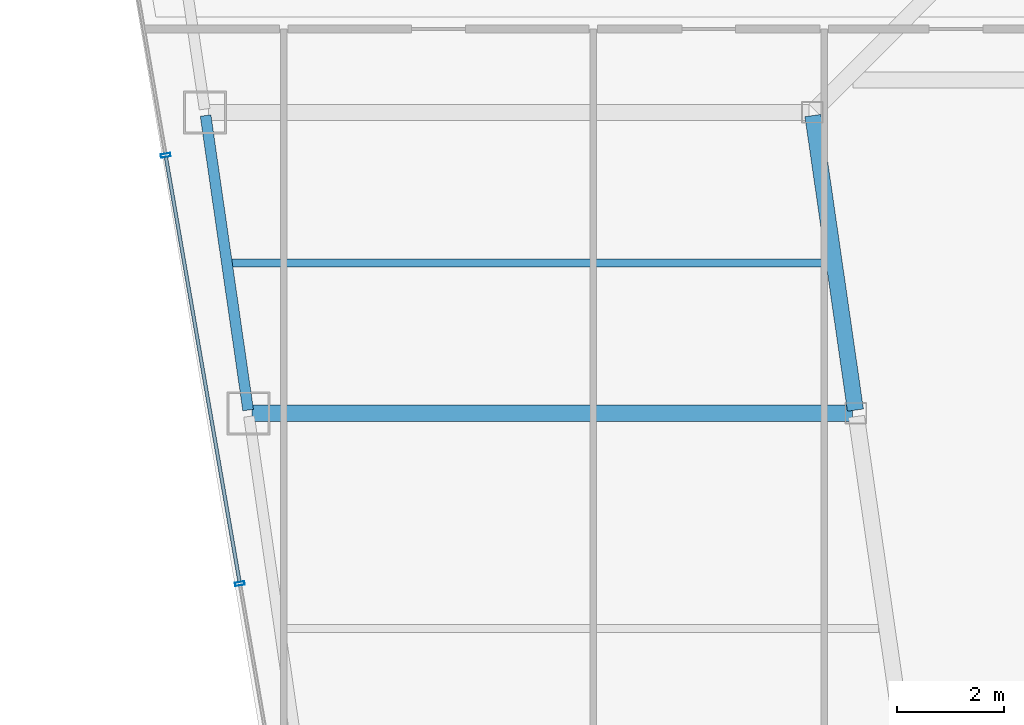
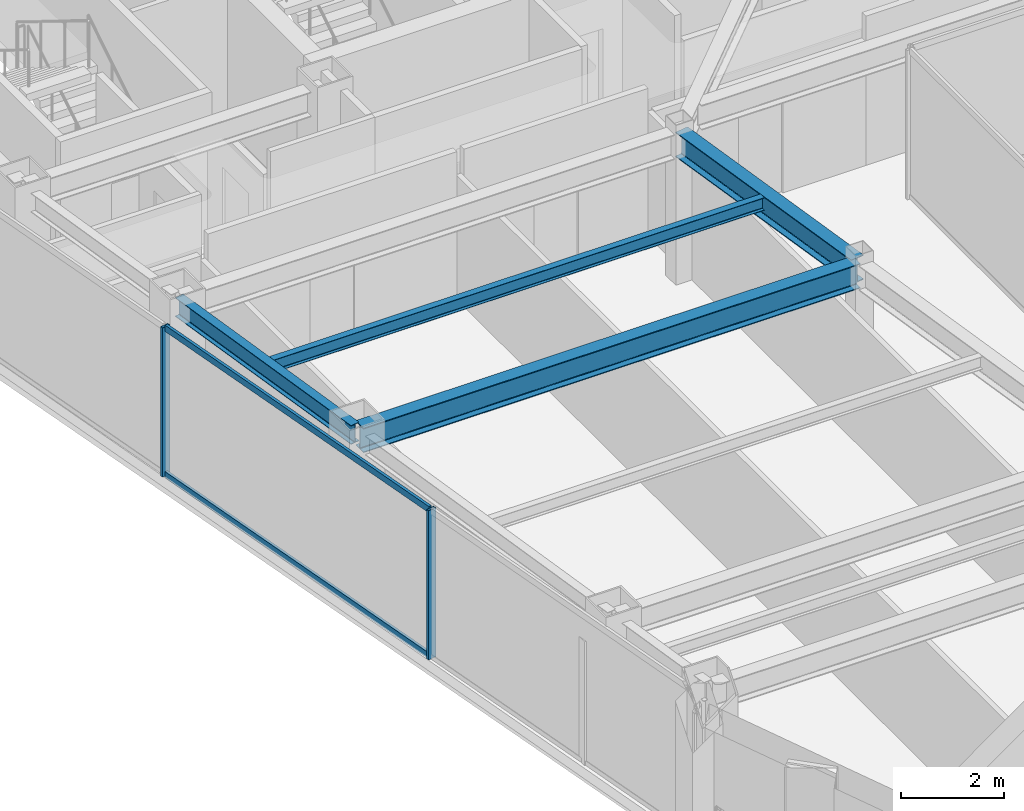
# One storey, part 5 of 31: 4 beams, 4 members, 1 element without a shape of its own.
"""IFC4 building model written with IfcOpenShell, lengths in metres."""

from ifc_helpers import new_model, si_unit, direction, frame, origin, origin_2d, place, context, subcontext, project, spatial, hollow_rectangle, i_section, extrude, material, material_profile, profile_set, type_object, element, aggregate, save


model = new_model("IFC4")

# Units and contexts
model_context = context("Model", 3, precision=1e-05, world=origin(), true_north=direction((0.0, 1.0)))
body_context = subcontext(model_context, "Body", "Model", "MODEL_VIEW")
ifc_project = project(units=[si_unit("LENGTHUNIT", "METRE"), si_unit("AREAUNIT", "SQUARE_METRE"), si_unit("VOLUMEUNIT", "CUBIC_METRE"), si_unit("PLANEANGLEUNIT", "RADIAN"), si_unit("MASSUNIT", "GRAM", prefix="KILO")], contexts=[model_context])

# Site, building, storey
site_placement = place(None, origin())
site = spatial("IfcSite", under=ifc_project, at=site_placement, CompositionType="ELEMENT")
building_placement = place(site_placement, origin())
building = spatial("IfcBuilding", under=site, at=building_placement, Name="Saevonmaru Cultural Tower", CompositionType="ELEMENT")
storey_placement = place(building_placement, frame((0.0, 0.0, 230.60009765625)))
storey = spatial("IfcBuildingStorey", under=building, at=storey_placement, Name="L53", CompositionType="ELEMENT", Elevation=230.60009765625)

# Beams
ifc_material_1 = material(Name="Steel SM355", Category="steel")
ifc_material_profile_1 = material_profile(ifc_material_1, i_section(OverallWidth=0.300048828125, OverallDepth=0.587890625, WebThickness=0.011962890625, FlangeThickness=0.02001953125, FilletRadius=0.02392578125, at=origin_2d()), Name="H-588x300x12x20")
ifc_profile_set_1 = profile_set([ifc_material_profile_1], Name="Steel SM355")
beam_type_1 = type_object("IfcBeamType", Name="BM-G-H588", PredefinedType="BEAM", material=ifc_profile_set_1)
beam_1_placement = place(storey_placement, frame((19.6083984375, 32.059326171875, 3.255859375), z_axis=(-0.142964121327, 0.989727871697, 0.0), x_axis=(-0.989727871697, -0.142964121327, 0.0)))
element("IfcBeam", 1, at=beam_1_placement, inside=storey, type_object=beam_type_1, Name="L53 West Atrium Girder 3", PredefinedType="BEAM", context=body_context, shape_type="SweptSolid", body=[
    extrude(i_section(OverallWidth=0.300048828125, OverallDepth=0.587890625, WebThickness=0.011962890625, FlangeThickness=0.02001953125, FilletRadius=0.02392578125, at=origin_2d()), origin(), (0.0, 0.0, 1.0), 5.5380859375),
])
beam_2_placement = place(storey_placement, frame((8.376953125, 32.0, 3.255859375), z_axis=(1.0, 0.0, 0.0), x_axis=(0.0, 1.0, 0.0)))
element("IfcBeam", 2, at=beam_2_placement, inside=storey, type_object=beam_type_1, Name="L53 West Wing Transverse Girder 3", PredefinedType="BEAM", context=body_context, shape_type="SweptSolid", body=[
    extrude(i_section(OverallWidth=0.300048828125, OverallDepth=0.587890625, WebThickness=0.011962890625, FlangeThickness=0.02001953125, FilletRadius=0.02392578125, at=origin_2d()), origin(), (0.0, 0.0, 1.0), 11.179931640625),
])
ifc_material_profile_2 = material_profile(ifc_material_1, i_section(OverallWidth=0.14990234375, OverallDepth=0.300048828125, WebThickness=0.006591796875, FlangeThickness=0.009033203125, FilletRadius=0.012939453125, at=origin_2d()), Name="H-300x150x6.5x9")
ifc_profile_set_2 = profile_set([ifc_material_profile_2], Name="Steel SM355")
beam_type_2 = type_object("IfcBeamType", Name="BM-J-H300", PredefinedType="JOIST", material=ifc_profile_set_2)
beam_3_placement = place(storey_placement, frame((7.972412109375, 34.800048828125, 3.39990234375), z_axis=(1.0, 0.0, 0.0), x_axis=(0.0, 1.0, 0.0)))
element("IfcBeam", 3, at=beam_3_placement, inside=storey, type_object=beam_type_2, Name="L53 West Wing Floor Joist 3", PredefinedType="JOIST", context=body_context, shape_type="SweptSolid", body=[
    extrude(i_section(OverallWidth=0.14990234375, OverallDepth=0.300048828125, WebThickness=0.006591796875, FlangeThickness=0.009033203125, FilletRadius=0.012939453125, at=origin_2d()), origin(), (0.0, 0.0, 1.0), 11.08203125),
])
ifc_material_profile_3 = material_profile(ifc_material_1, i_section(OverallWidth=0.199951171875, OverallDepth=0.449951171875, WebThickness=0.009033203125, FlangeThickness=0.013916015625, FilletRadius=0.01806640625, at=origin_2d()), Name="H-450x200x9x14")
ifc_profile_set_3 = profile_set([ifc_material_profile_3], Name="Steel SM355")
beam_type_3 = type_object("IfcBeamType", Name="BM-SP-H450", PredefinedType="SPANDREL", material=ifc_profile_set_3)
beam_4_placement = place(storey_placement, frame((8.308349609375, 32.059326171875, 3.324951171875), z_axis=(-0.142964121327, 0.989727871697, 0.0), x_axis=(-0.989727871697, -0.142964121327, 0.0)))
element("IfcBeam", 4, at=beam_4_placement, inside=storey, type_object=beam_type_3, Name="L53 West Splayed Spandrel 3", PredefinedType="SPANDREL", context=body_context, shape_type="SweptSolid", body=[
    extrude(i_section(OverallWidth=0.199951171875, OverallDepth=0.449951171875, WebThickness=0.009033203125, FlangeThickness=0.013916015625, FilletRadius=0.01806640625, at=origin_2d()), origin(), (0.0, 0.0, 1.0), 5.5380859375),
])

# Curtain wall, members
ifc_material_2 = material(Name="Satin Bronze Anodised Aluminium", Category="aluminium")
curtain_wall_type = type_object("IfcCurtainWallType", Name="CW-SKY-GLZ", PredefinedType="NOTDEFINED", material=ifc_material_2)
curtain_wall_placement = place(storey_placement, origin())
curtain_wall = element("IfcCurtainWall", 5, at=curtain_wall_placement, inside=storey, type_object=curtain_wall_type, Name="L53 Unitised Curtain Wall E12", PredefinedType="NOTDEFINED")
ifc_material_profile_4 = material_profile(ifc_material_2, hollow_rectangle(XDim=0.06494140625, YDim=0.179931640625, WallThickness=0.00390625, at=origin_2d()), Name="ALU-MULL-180x65x4")
ifc_profile_set_4 = profile_set([ifc_material_profile_4], Name="Satin Bronze Anodised Aluminium")
member_type_1 = type_object("IfcMemberType", Name="ML-CW-180x65", PredefinedType="MULLION", material=ifc_profile_set_4)
member_1_placement = place(storey_placement, frame((6.7734375, 36.800048828125, 0.0), z_axis=(0.0, 0.0, 1.0), x_axis=(0.170790369887, -0.985307388359, 0.0)))
member_1 = element("IfcMember", 6, at=member_1_placement, type_object=member_type_1, Name="CW-TW-L53-E12 mullion 3", PredefinedType="MULLION", context=body_context, shape_type="SweptSolid", body=[
    extrude(hollow_rectangle(XDim=0.06494140625, YDim=0.179931640625, WallThickness=0.00390625, at=origin_2d()), origin(), (0.0, 0.0, 1.0), 3.5498046875),
])
member_2_placement = place(storey_placement, frame((8.155029296875, 28.82958984375, 0.0), z_axis=(0.0, 0.0, 1.0), x_axis=(0.170790369887, -0.985307388359, 0.0)))
member_2 = element("IfcMember", 7, at=member_2_placement, type_object=member_type_1, Name="CW-TW-L53-E12 mullion 4", PredefinedType="MULLION", context=body_context, shape_type="SweptSolid", body=[
    extrude(hollow_rectangle(XDim=0.06494140625, YDim=0.179931640625, WallThickness=0.00390625, at=origin_2d()), origin(), (0.0, 0.0, 1.0), 3.5498046875),
])
ifc_material_profile_5 = material_profile(ifc_material_2, hollow_rectangle(XDim=0.06494140625, YDim=0.14990234375, WallThickness=0.00390625, at=origin_2d()), Name="ALU-TRAN-150x65x4")
ifc_profile_set_5 = profile_set([ifc_material_profile_5], Name="Satin Bronze Anodised Aluminium")
member_type_2 = type_object("IfcMemberType", Name="TR-CW-150x65", PredefinedType="USERDEFINED", material=ifc_profile_set_5)
member_3_placement = place(storey_placement, frame((6.77880859375, 36.76806640625, 0.032470703125), z_axis=(0.170804445888, -0.985304948361, 0.0), x_axis=(0.985304948361, 0.170804445888, 0.0)))
member_3 = element("IfcMember", 8, at=member_3_placement, type_object=member_type_2, Name="CW-TW-L53-E12 transom 3.1", ObjectType="TRANSOM", PredefinedType="USERDEFINED", context=body_context, shape_type="SweptSolid", body=[
    extrude(hollow_rectangle(XDim=0.06494140625, YDim=0.14990234375, WallThickness=0.00390625, at=origin_2d()), origin(), (0.0, 0.0, 1.0), 8.0244140625),
])
member_4_placement = place(storey_placement, frame((6.77880859375, 36.76806640625, 3.517333984375), z_axis=(0.170804445888, -0.985304948361, 0.0), x_axis=(0.985304948361, 0.170804445888, 0.0)))
member_4 = element("IfcMember", 9, at=member_4_placement, type_object=member_type_2, Name="CW-TW-L53-E12 transom 3.2", ObjectType="TRANSOM", PredefinedType="USERDEFINED", context=body_context, shape_type="SweptSolid", body=[
    extrude(hollow_rectangle(XDim=0.06494140625, YDim=0.14990234375, WallThickness=0.00390625, at=origin_2d()), origin(), (0.0, 0.0, 1.0), 8.0244140625),
])
aggregate(curtain_wall, [member_1, member_2, member_3, member_4])

save(model, "model.ifc")
